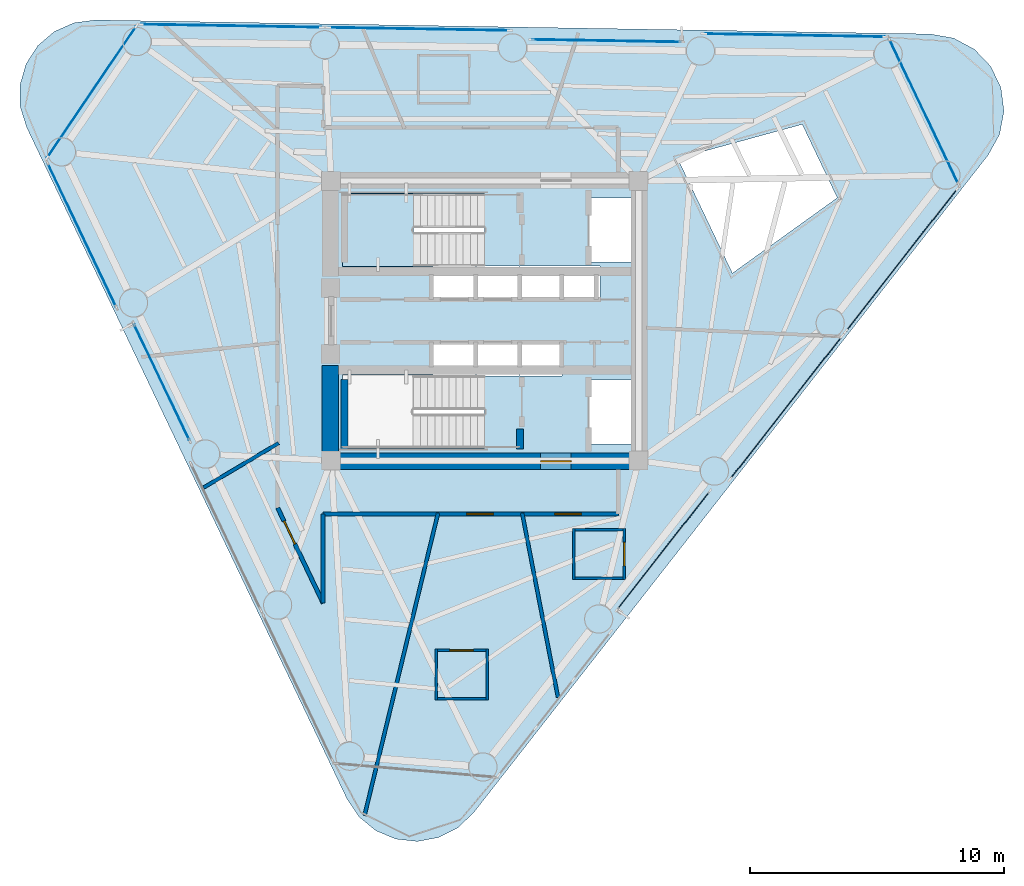
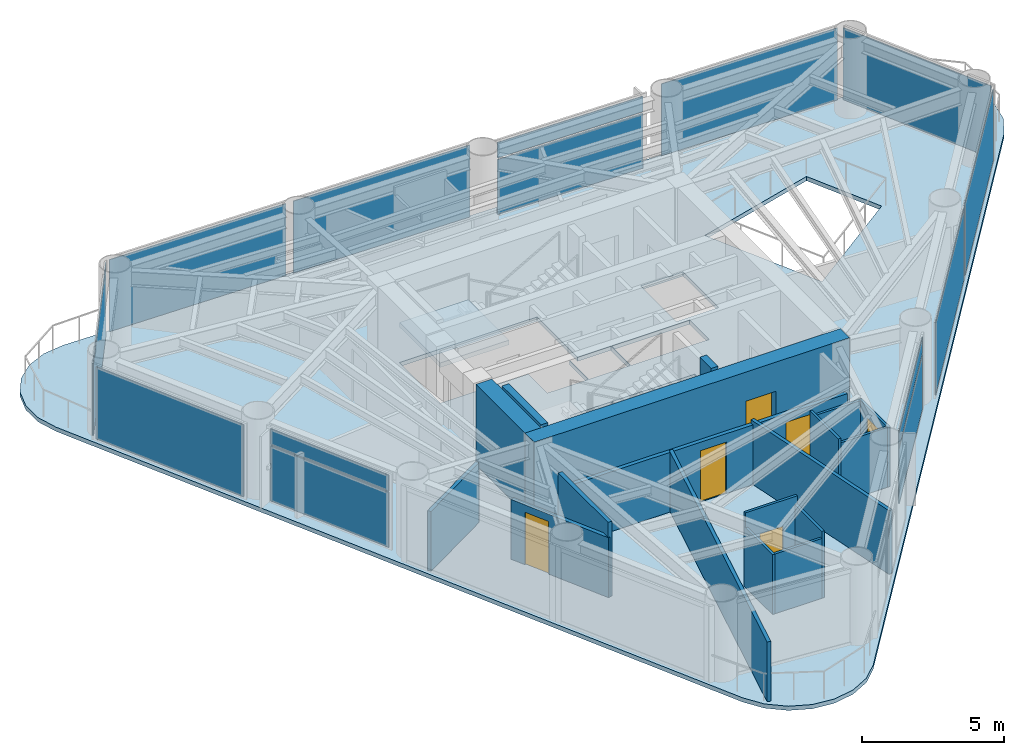
# One storey, part 5 of 10: 18 walls, 14 plates, 6 doors, 2 slabs, 6 openings, 12 elements without a shape of their own.
"""IFC4 building model written with IfcOpenShell, lengths in metres."""

from ifc_helpers import new_model, si_unit, direction, frame, frame_2d, origin, origin_2d, place, context, subcontext, project, spatial, polyline, rectangle, outline, extrude, source, transform, mapped, material, layer, layer_set, type_object, element, fill, aggregate, save


model = new_model("IFC4")

# Units and contexts
model_context = context("Model", 3, precision=1e-05, world=origin(), true_north=direction((0.0, 1.0)))
body_context = subcontext(model_context, "Body", "Model", "MODEL_VIEW")
ifc_project = project(units=[si_unit("LENGTHUNIT", "METRE"), si_unit("AREAUNIT", "SQUARE_METRE"), si_unit("VOLUMEUNIT", "CUBIC_METRE"), si_unit("PLANEANGLEUNIT", "RADIAN"), si_unit("MASSUNIT", "GRAM", prefix="KILO")], contexts=[model_context])

# Site, building, storey
site_placement = place(None, origin())
site = spatial("IfcSite", under=ifc_project, at=site_placement, CompositionType="ELEMENT")
building_placement = place(site_placement, origin())
building = spatial("IfcBuilding", under=site, at=building_placement, Name="Yunling Apex Tower", CompositionType="ELEMENT")
storey_placement = place(building_placement, frame((0.0, 0.0, 215.60009765625)))
storey = spatial("IfcBuildingStorey", under=building, at=storey_placement, Name="L53", CompositionType="ELEMENT", Elevation=215.60009765625)

# Slab
ifc_material_1 = material(Name="Concrete C40", Category="concrete")
ifc_layer_1 = layer(ifc_material_1, 0.1650390625)
ifc_layer_set_1 = layer_set([ifc_layer_1], Name="Concrete C40")
slab_type_1 = type_object("IfcSlabType", Name="SL-FLR-2", PredefinedType="FLOOR", material=ifc_layer_set_1)
slab_1_placement = place(storey_placement, frame((0.0, 0.0, -0.18017578125)))
element("IfcSlab", 1, at=slab_1_placement, inside=storey, type_object=slab_type_1, Name="L53 Composite Tower Floor Slab", PredefinedType="FLOOR", context=body_context, shape_type="SweptSolid", body=[
    extrude(outline(polyline([(-5.42578125, -18.80419921875), (-4.95068359375, -19.513427734375), (-4.29248046875, -20.056884765625), (-3.506103515625, -20.38916015625), (-2.65771484375, -20.482421875), (-1.818115234375, -20.32861328125), (-1.0576171875, -19.941162109375), (-0.439697265625, -19.35205078125), (19.8017578125, 6.518798828125), (20.25244140625, 7.333251953125), (20.427001953125, 8.24755859375), (20.307861328125, 9.1708984375), (19.9072265625, 10.010986328125), (19.2646484375, 10.684326171875), (18.4443359375, 11.1240234375), (17.527587890625, 11.286376953125), (-15.316162109375, 11.8369140625), (-16.16259765625, 11.7275390625), (-16.9423828125, 11.38037109375), (-17.59033203125, 10.824462890625), (-18.0517578125, 10.1064453125), (-18.288330078125, 9.286376953125), (-18.2802734375, 8.4326171875), (-18.0283203125, 7.6171875), (-5.42578125, -18.80419921875)]), holes=[polyline([(12.489013671875, 7.7294921875), (13.86669921875, 4.84130859375), (9.7412109375, 1.87646484375), (7.58837890625, 6.389404296875), (12.489013671875, 7.7294921875)]), polyline([(4.090087890625, -2.320068359375), (5.81005859375, -2.320068359375), (5.81005859375, -4.840087890625), (4.090087890625, -4.840087890625), (4.090087890625, -2.320068359375)]), polyline([(5.81005859375, 4.840087890625), (5.81005859375, 2.320068359375), (4.090087890625, 2.320068359375), (4.090087890625, 4.840087890625), (5.81005859375, 4.840087890625)]), polyline([(1.364990234375, 2.1650390625), (4.534912109375, 2.1650390625), (4.534912109375, 0.794921875), (1.364990234375, 0.794921875), (1.364990234375, 2.1650390625)]), polyline([(3.034912109375, -0.794921875), (3.034912109375, -2.1650390625), (1.364990234375, -2.1650390625), (1.364990234375, -0.794921875), (3.034912109375, -0.794921875)]), polyline([(-2.034912109375, -0.794921875), (-0.364990234375, -0.794921875), (-0.364990234375, -2.139892578125), (-0.3349609375, -2.139892578125), (-0.3349609375, -0.794921875), (1.3349609375, -0.794921875), (1.3349609375, -2.1650390625), (-0.010009765625, -2.1650390625), (-0.010009765625, -5.010009765625), (-5.60009765625, -5.010009765625), (-5.60009765625, -2.139892578125), (-2.034912109375, -2.139892578125), (-2.034912109375, -0.794921875)]), polyline([(-5.60009765625, 2.139892578125), (-5.60009765625, 5.010009765625), (-0.010009765625, 5.010009765625), (-0.010009765625, 2.1650390625), (1.3349609375, 2.1650390625), (1.3349609375, 0.794921875), (-0.3349609375, 0.794921875), (-0.3349609375, 2.139892578125), (-0.364990234375, 2.139892578125), (-0.364990234375, 0.794921875), (-2.034912109375, 0.794921875), (-2.034912109375, 2.139892578125), (-5.60009765625, 2.139892578125)])]), origin(), (0.0, 0.0, 1.0), 0.18017578125),
])

# Stair, slab
stair_type = type_object("IfcStairType", Name="ST-TWR-2", PredefinedType="HALF_TURN_STAIR", material=ifc_material_1)
stair_placement = place(storey_placement, origin())
stair = element("IfcStair", 2, at=stair_placement, inside=storey, type_object=stair_type, Name="L53 North Core Smokeproof Exit Stair ST-1", PredefinedType="HALF_TURN_STAIR")
ifc_layer_2 = layer(ifc_material_1, 0.195068359375)
ifc_layer_set_2 = layer_set([ifc_layer_2], Name="Concrete C40")
slab_type_2 = type_object("IfcSlabType", Name="SL-LND-1", PredefinedType="LANDING", material=ifc_layer_set_2)
slab_2_placement = place(storey_placement, frame((0.0, 0.0, 1.52978515625)))
slab_2 = element("IfcSlab", 3, at=slab_2_placement, type_object=slab_type_2, Name="ST-1 landing 1", PredefinedType="LANDING", context=body_context, shape_type="SweptSolid", body=[
    extrude(outline(polyline([(-2.81005859375, 5.010009765625), (-5.60009765625, 5.010009765625), (-5.60009765625, 2.139892578125), (-2.81005859375, 2.139892578125), (-2.81005859375, 5.010009765625)])), origin(), (0.0, 0.0, 1.0), 0.195068359375),
])
aggregate(stair, [slab_2])

# Curtain wall, plate
ifc_material_2 = material(Name="Bronze anodised aluminium", Category="aluminium")
ifc_layer_3 = layer(ifc_material_2, 0.239990234375)
ifc_layer_set_3 = layer_set([ifc_layer_3], Name="Bronze anodised aluminium")
curtain_wall_type = type_object("IfcCurtainWallType", Name="CW-SYS-3", PredefinedType="NOTDEFINED", material=ifc_layer_set_3)
curtain_wall_1_placement = place(storey_placement, origin())
curtain_wall_1 = element("IfcCurtainWall", 4, at=curtain_wall_1_placement, inside=storey, type_object=curtain_wall_type, Name="CW-L53-F1-B2", PredefinedType="NOTDEFINED")
ifc_material_3 = material(Name="Bronze tinted low-E glass", Category="glass")
ifc_layer_4 = layer(ifc_material_3, 0.031982421875)
ifc_layer_set_4 = layer_set([ifc_layer_4], Name="Bronze tinted low-E glass")
plate_type = type_object("IfcPlateType", Name="CW-PNL-3", PredefinedType="CURTAIN_PANEL", material=ifc_layer_set_4)
shared_shape_1 = source(origin(), body_context, "Body", "SweptSolid", [
    extrude(rectangle(XDim=5.846923828125, YDim=0.031982421875, at=origin_2d()), origin(), (0.0, 0.0, 1.0), 2.350830078125),
])
plate_1_placement = place(storey_placement, frame((7.025634765625, -9.03125, 0.07177734375), z_axis=(0.0, 0.0, 1.0), x_axis=(0.616216892053, 0.787576499109, 0.0)))
plate_1 = element("IfcPlate", 5, at=plate_1_placement, type_object=plate_type, Name="CW-SYS-3 panel 1.1", PredefinedType="CURTAIN_PANEL", context=body_context, shape_type="MappedRepresentation", body=[
    mapped(shared_shape_1, transform((0.0, 0.0, 0.0), scale=1.0)),
])

curtain_wall_2_placement = place(storey_placement, origin())
curtain_wall_2 = element("IfcCurtainWall", 6, at=curtain_wall_2_placement, inside=storey, type_object=curtain_wall_type, Name="CW-L53-F2-B2", PredefinedType="NOTDEFINED")
plate_2_placement = place(storey_placement, frame((4.792724609375, 11.019775390625, 0.07177734375), z_axis=(0.0, 0.0, 1.0), x_axis=(-0.999859564213, 0.016758635119, 0.0)))
plate_2 = element("IfcPlate", 7, at=plate_2_placement, type_object=plate_type, Name="CW-SYS-3 panel 1.1", PredefinedType="CURTAIN_PANEL", context=body_context, shape_type="MappedRepresentation", body=[
    mapped(shared_shape_1, transform((0.0, 0.0, 0.0), scale=1.0)),
])

# Plate
shared_shape_2 = source(origin(), body_context, "Body", "SweptSolid", [
    extrude(rectangle(XDim=5.846923828125, YDim=0.031982421875, at=origin_2d()), origin(), (0.0, 0.0, 1.0), 0.671142578125),
])
plate_3_placement = place(storey_placement, frame((7.025634765625, -9.03125, 2.48681640625), z_axis=(0.0, 0.0, 1.0), x_axis=(0.616216892053, 0.787576499109, 0.0)))
plate_3 = element("IfcPlate", 8, at=plate_3_placement, type_object=plate_type, Name="CW-SYS-3 panel 1.2", PredefinedType="CURTAIN_PANEL", context=body_context, shape_type="MappedRepresentation", body=[
    mapped(shared_shape_2, transform((0.0, 0.0, 0.0), scale=1.0)),
])

aggregate(curtain_wall_1, [plate_1, plate_3])

plate_4_placement = place(storey_placement, frame((4.792724609375, 11.019775390625, 2.48681640625), z_axis=(0.0, 0.0, 1.0), x_axis=(-0.999859564213, 0.016758635119, 0.0)))
plate_4 = element("IfcPlate", 9, at=plate_4_placement, type_object=plate_type, Name="CW-SYS-3 panel 1.2", PredefinedType="CURTAIN_PANEL", context=body_context, shape_type="MappedRepresentation", body=[
    mapped(shared_shape_2, transform((0.0, 0.0, 0.0), scale=1.0)),
])

aggregate(curtain_wall_2, [plate_2, plate_4])

# Curtain wall, plate
curtain_wall_3_placement = place(storey_placement, origin())
curtain_wall_3 = element("IfcCurtainWall", 10, at=curtain_wall_3_placement, inside=storey, type_object=curtain_wall_type, Name="CW-L53-F1-B3", PredefinedType="NOTDEFINED")
shared_shape_3 = source(origin(), body_context, "Body", "SweptSolid", [
    extrude(rectangle(XDim=7.0869140625, YDim=0.031982421875, at=origin_2d()), origin(), (0.0, 0.0, 1.0), 3.0859375),
])
plate_5_placement = place(storey_placement, frame((11.847900390625, -3.419921875, 0.072021484375), z_axis=(0.0, 0.0, 1.0), x_axis=(0.616200489644, 0.787589332433, 0.0)))
plate_5 = element("IfcPlate", 11, at=plate_5_placement, type_object=plate_type, Name="CW-SYS-3 panel 1.1", PredefinedType="CURTAIN_PANEL", context=body_context, shape_type="MappedRepresentation", body=[
    mapped(shared_shape_3, transform((0.0, 0.0, 0.0), scale=1.0)),
])
aggregate(curtain_wall_3, [plate_5])

curtain_wall_4_placement = place(storey_placement, origin())
curtain_wall_4 = element("IfcCurtainWall", 12, at=curtain_wall_4_placement, inside=storey, type_object=curtain_wall_type, Name="CW-L53-F1-B4", PredefinedType="NOTDEFINED")
plate_6_placement = place(storey_placement, frame((16.402099609375, 2.401123046875, 0.072021484375), z_axis=(0.0, 0.0, 1.0), x_axis=(0.616200489644, 0.787589332433, 0.0)))
plate_6 = element("IfcPlate", 13, at=plate_6_placement, type_object=plate_type, Name="CW-SYS-3 panel 1.1", PredefinedType="CURTAIN_PANEL", context=body_context, shape_type="MappedRepresentation", body=[
    mapped(shared_shape_3, transform((0.0, 0.0, 0.0), scale=1.0)),
])
aggregate(curtain_wall_4, [plate_6])

curtain_wall_5_placement = place(storey_placement, origin())
curtain_wall_5 = element("IfcCurtainWall", 14, at=curtain_wall_5_placement, inside=storey, type_object=curtain_wall_type, Name="CW-L53-F2-B1", PredefinedType="NOTDEFINED")
plate_7_placement = place(storey_placement, frame((12.188232421875, 11.23583984375, 0.072021484375), z_axis=(0.0, 0.0, 1.0), x_axis=(-0.999859518498, 0.016761362354, 0.0)))
plate_7 = element("IfcPlate", 15, at=plate_7_placement, type_object=plate_type, Name="CW-SYS-3 panel 1.1", PredefinedType="CURTAIN_PANEL", context=body_context, shape_type="MappedRepresentation", body=[
    mapped(shared_shape_3, transform((0.0, 0.0, 0.0), scale=1.0)),
])
aggregate(curtain_wall_5, [plate_7])

curtain_wall_6_placement = place(storey_placement, origin())
curtain_wall_6 = element("IfcCurtainWall", 16, at=curtain_wall_6_placement, inside=storey, type_object=curtain_wall_type, Name="CW-L53-F2-B3", PredefinedType="NOTDEFINED")
plate_8_placement = place(storey_placement, frame((-2.591552734375, 11.483642578125, 0.072021484375), z_axis=(0.0, 0.0, 1.0), x_axis=(-0.999859754051, 0.016747305141, 0.0)))
plate_8 = element("IfcPlate", 17, at=plate_8_placement, type_object=plate_type, Name="CW-SYS-3 panel 1.1", PredefinedType="CURTAIN_PANEL", context=body_context, shape_type="MappedRepresentation", body=[
    mapped(shared_shape_3, transform((0.0, 0.0, 0.0), scale=1.0)),
])
aggregate(curtain_wall_6, [plate_8])

curtain_wall_7_placement = place(storey_placement, origin())
curtain_wall_7 = element("IfcCurtainWall", 18, at=curtain_wall_7_placement, inside=storey, type_object=curtain_wall_type, Name="CW-L53-F2-B4", PredefinedType="NOTDEFINED")
plate_9_placement = place(storey_placement, frame((-9.9814453125, 11.607421875, 0.072021484375), z_axis=(0.0, 0.0, 1.0), x_axis=(-0.999859518498, 0.016761362354, 0.0)))
plate_9 = element("IfcPlate", 19, at=plate_9_placement, type_object=plate_type, Name="CW-SYS-3 panel 1.1", PredefinedType="CURTAIN_PANEL", context=body_context, shape_type="MappedRepresentation", body=[
    mapped(shared_shape_3, transform((0.0, 0.0, 0.0), scale=1.0)),
])
aggregate(curtain_wall_7, [plate_9])

curtain_wall_8_placement = place(storey_placement, origin())
curtain_wall_8 = element("IfcCurtainWall", 20, at=curtain_wall_8_placement, inside=storey, type_object=curtain_wall_type, Name="CW-L53-CRN1", PredefinedType="NOTDEFINED")
shared_shape_4 = source(origin(), body_context, "Body", "SweptSolid", [
    extrude(rectangle(XDim=6.31494140625, YDim=0.031982421875, at=origin_2d()), origin(), (0.0, 0.0, 1.0), 3.0859375),
])
plate_10_placement = place(storey_placement, frame((17.273193359375, 8.239013671875, 0.072021484375), z_axis=(0.0, 0.0, 1.0), x_axis=(-0.430527245951, 0.902577581426, 0.0)))
plate_10 = element("IfcPlate", 21, at=plate_10_placement, type_object=plate_type, Name="CW-SYS-3 panel 1.1", PredefinedType="CURTAIN_PANEL", context=body_context, shape_type="MappedRepresentation", body=[
    mapped(shared_shape_4, transform((0.0, 0.0, 0.0), scale=1.0)),
])
aggregate(curtain_wall_8, [plate_10])

curtain_wall_9_placement = place(storey_placement, origin())
curtain_wall_9 = element("IfcCurtainWall", 22, at=curtain_wall_9_placement, inside=storey, type_object=curtain_wall_type, Name="CW-L53-CRN2", PredefinedType="NOTDEFINED")
shared_shape_5 = source(origin(), body_context, "Body", "SweptSolid", [
    extrude(rectangle(XDim=6.237060546875, YDim=0.031982421875, at=origin_2d()), origin(), (0.0, 0.0, 1.0), 3.0859375),
])
plate_11_placement = place(storey_placement, frame((-15.465087890625, 9.007080078125, 0.072021484375), z_axis=(0.0, 0.0, 1.0), x_axis=(-0.56057021458, -0.828106898006, 0.0)))
plate_11 = element("IfcPlate", 23, at=plate_11_placement, type_object=plate_type, Name="CW-SYS-3 panel 1.1", PredefinedType="CURTAIN_PANEL", context=body_context, shape_type="MappedRepresentation", body=[
    mapped(shared_shape_5, transform((0.0, 0.0, 0.0), scale=1.0)),
])
aggregate(curtain_wall_9, [plate_11])

curtain_wall_10_placement = place(storey_placement, origin())
curtain_wall_10 = element("IfcCurtainWall", 24, at=curtain_wall_10_placement, inside=storey, type_object=curtain_wall_type, Name="CW-L53-F3-B1", PredefinedType="NOTDEFINED")
shared_shape_6 = source(origin(), body_context, "Body", "SweptSolid", [
    extrude(rectangle(XDim=6.282470703125, YDim=0.031982421875, at=origin_2d()), origin(), (0.0, 0.0, 1.0), 3.0859375),
])
plate_12_placement = place(storey_placement, frame((-15.85400390625, 3.384033203125, 0.072021484375), z_axis=(0.0, 0.0, 1.0), x_axis=(0.430517577128, -0.902582193367, 0.0)))
plate_12 = element("IfcPlate", 25, at=plate_12_placement, type_object=plate_type, Name="CW-SYS-3 panel 1.1", PredefinedType="CURTAIN_PANEL", context=body_context, shape_type="MappedRepresentation", body=[
    mapped(shared_shape_6, transform((0.0, 0.0, 0.0), scale=1.0)),
])
aggregate(curtain_wall_10, [plate_12])

# Curtain wall, plates
curtain_wall_11_placement = place(storey_placement, origin())
curtain_wall_11 = element("IfcCurtainWall", 26, at=curtain_wall_11_placement, inside=storey, type_object=curtain_wall_type, Name="CW-L53-F3-B2", PredefinedType="NOTDEFINED")
shared_shape_7 = source(origin(), body_context, "Body", "SweptSolid", [
    extrude(rectangle(XDim=5.042236328125, YDim=0.031982421875, at=origin_2d()), origin(), (0.0, 0.0, 1.0), 2.350830078125),
])
plate_13_placement = place(storey_placement, frame((-12.71142578125, -2.41455078125, 0.07177734375), z_axis=(0.0, 0.0, 1.0), x_axis=(0.430515783062, -0.902583049107, 0.0)))
plate_13 = element("IfcPlate", 27, at=plate_13_placement, type_object=plate_type, Name="CW-SYS-3 panel 1.1", PredefinedType="CURTAIN_PANEL", context=body_context, shape_type="MappedRepresentation", body=[
    mapped(shared_shape_7, transform((0.0, 0.0, 0.0), scale=1.0)),
])
shared_shape_8 = source(origin(), body_context, "Body", "SweptSolid", [
    extrude(rectangle(XDim=5.042236328125, YDim=0.031982421875, at=origin_2d()), origin(), (0.0, 0.0, 1.0), 0.671142578125),
])
plate_14_placement = place(storey_placement, frame((-12.71142578125, -2.41455078125, 2.48681640625), z_axis=(0.0, 0.0, 1.0), x_axis=(0.430515783062, -0.902583049107, 0.0)))
plate_14 = element("IfcPlate", 28, at=plate_14_placement, type_object=plate_type, Name="CW-SYS-3 panel 1.2", PredefinedType="CURTAIN_PANEL", context=body_context, shape_type="MappedRepresentation", body=[
    mapped(shared_shape_8, transform((0.0, 0.0, 0.0), scale=1.0)),
])
aggregate(curtain_wall_11, [plate_13, plate_14])

# Wall, opening, door
ifc_material_4 = material(Name="Concrete C50", Category="concrete")
ifc_layer_5 = layer(ifc_material_4, 0.64990234375)
ifc_layer_set_5 = layer_set([ifc_layer_5], Name="Concrete C50")
wall_type_1 = type_object("IfcWallType", Name="WL-COR-2", PredefinedType="SHEAR", material=ifc_layer_set_5)
wall_1_placement = place(storey_placement, frame((-6.39990234375, -5.52490234375, 0.0), z_axis=(0.0, 0.0, 1.0), x_axis=(1.0, 0.0, 0.0)))
wall_1 = element("IfcWall", 29, at=wall_1_placement, inside=storey, type_object=wall_type_1, Name="L53 South Core Shear Wall", PredefinedType="SHEAR", context=body_context, shape_type="SweptSolid", body=[
    extrude(rectangle(XDim=12.7998046875, YDim=0.64990234375, at=frame_2d((6.39990234375, 0.0))), origin(), (0.0, 0.0, 1.0), 3.449951171875),
])
opening_1_placement = place(wall_1_placement, frame((8.60009765625, 0.0, 0.0)))
opening_1 = element("IfcOpeningElement", 30, at=opening_1_placement, cuts=wall_1, Name="Opening DR-FFL-1", PredefinedType="OPENING", context=body_context, shape_type="SweptSolid", body=[
    extrude(rectangle(XDim=1.199951171875, YDim=2.199951171875, at=frame_2d((0.60009765625, 1.10009765625))), frame((0.0, 0.3349609375, 0.0), z_axis=(0.0, -1.0, 0.0), x_axis=(1.0, 0.0, 0.0)), (0.0, 0.0, 1.0), 0.669921875),
])
ifc_material_5 = material(Name="Steel Q355B", Category="steel")
door_type_1 = type_object("IfcDoorType", Name="DR-FFL-1", OperationType="NOTDEFINED", PredefinedType="DOOR", material=ifc_material_5)
door_1_placement = place(opening_1_placement, origin())
door_1 = element("IfcDoor", 31, at=door_1_placement, inside=storey, type_object=door_type_1, Name="L53 South Firefighting Lobby Door", OperationType="SINGLE_SWING_RIGHT", OverallHeight=2.199951171875, OverallWidth=1.199951171875, PredefinedType="DOOR", context=body_context, shape_type="SweptSolid", body=[
    extrude(rectangle(XDim=1.199951171875, YDim=2.199951171875, at=frame_2d((0.60009765625, 1.10009765625))), frame((0.0, 0.02490234375, 0.0), z_axis=(0.0, -1.0, 0.0), x_axis=(1.0, 0.0, 0.0)), (0.0, 0.0, 1.0), 0.050048828125),
])
fill(opening_1, door_1)

# Walls
wall_2_placement = place(storey_placement, frame((-6.074951171875, -5.199951171875, 0.0), z_axis=(0.0, 0.0, 1.0), x_axis=(0.0, 1.0, 0.0)))
element("IfcWall", 32, at=wall_2_placement, inside=storey, type_object=wall_type_1, Name="L53 West-South Core Shear Wall", PredefinedType="SHEAR", context=body_context, shape_type="SweptSolid", body=[
    extrude(rectangle(XDim=3.449951171875, YDim=0.64990234375, at=frame_2d((1.72509765625, 0.0))), origin(), (0.0, 0.0, 1.0), 3.449951171875),
])
ifc_layer_6 = layer(ifc_material_1, 0.280029296875)
ifc_layer_set_6 = layer_set([ifc_layer_6], Name="Concrete C40")
wall_type_2 = type_object("IfcWallType", Name="WL-COR-8", PredefinedType="SHEAR", material=ifc_layer_set_6)
wall_3_placement = place(storey_placement, frame((-5.52001953125, -5.050048828125, 0.0), z_axis=(0.0, 0.0, 1.0), x_axis=(0.0, 1.0, 0.0)))
element("IfcWall", 33, at=wall_3_placement, inside=storey, type_object=wall_type_2, Name="L53 ST-2 West Landing Bearing Wall", PredefinedType="SHEAR", context=body_context, shape_type="SweptSolid", body=[
    extrude(rectangle(XDim=2.75, YDim=0.280029296875, at=frame_2d((1.375, 0.0))), origin(), (0.0, 0.0, 1.0), 3.449951171875),
])
wall_4_placement = place(storey_placement, frame((1.3798828125, -5.050048828125, 0.0), z_axis=(0.0, 0.0, 1.0), x_axis=(0.0, 1.0, 0.0)))
element("IfcWall", 34, at=wall_4_placement, inside=storey, type_object=wall_type_2, Name="L53 ST-2 East Landing Bearing Pier", PredefinedType="SHEAR", context=body_context, shape_type="SweptSolid", body=[
    extrude(rectangle(XDim=0.800048828125, YDim=0.280029296875, at=frame_2d((0.39990234375, 0.0))), origin(), (0.0, 0.0, 1.0), 3.449951171875),
])

# Wall, opening, door
ifc_material_6 = material(Name="Gypsum board acoustic partition")
ifc_layer_7 = layer(ifc_material_6, 0.159912109375)
ifc_layer_set_7 = layer_set([ifc_layer_7], Name="Gypsum board acoustic partition")
wall_type_3 = type_object("IfcWallType", Name="WL-PRT-1", PredefinedType="PARTITIONING", material=ifc_layer_set_7)
wall_5_placement = place(storey_placement, frame((-6.360107421875, -11.1083984375, 0.0), z_axis=(0.0, 0.0, 1.0), x_axis=(-0.430460013629, 0.902609648002, 0.0)))
wall_5 = element("IfcWall", 35, at=wall_5_placement, inside=storey, type_object=wall_type_3, Name="WL-CORR-L53-01", PredefinedType="PARTITIONING", context=body_context, shape_type="SweptSolid", body=[
    extrude(rectangle(XDim=4.157958984375, YDim=0.159912109375, at=frame_2d((2.0791015625, 0.0))), origin(), (0.0, 0.0, 1.0), 2.56494140625),
])
opening_2_placement = place(wall_5_placement, frame((2.576904296875, 0.0, 0.0)))
opening_2 = element("IfcOpeningElement", 36, at=opening_2_placement, cuts=wall_5, Name="Opening DR-OFF-1", PredefinedType="OPENING", context=body_context, shape_type="SweptSolid", body=[
    extrude(rectangle(XDim=1.0, YDim=2.25, at=frame_2d((0.5, 1.125))), frame((0.0, 0.08984375, 0.0), z_axis=(0.0, -1.0, 0.0), x_axis=(1.0, 0.0, 0.0)), (0.0, 0.0, 1.0), 0.179931640625),
])
door_type_2 = type_object("IfcDoorType", Name="DR-OFF-1", OperationType="NOTDEFINED", PredefinedType="DOOR", material=ifc_material_2)
door_2_placement = place(opening_2_placement, origin())
door_2 = element("IfcDoor", 37, at=door_2_placement, inside=storey, type_object=door_type_2, Name="L53 Staff Duty Office Door", OperationType="SINGLE_SWING_RIGHT", OverallHeight=2.25, OverallWidth=1.0, PredefinedType="DOOR", context=body_context, shape_type="SweptSolid", body=[
    extrude(rectangle(XDim=1.0, YDim=2.25, at=frame_2d((0.5, 1.125))), frame((0.0, 0.02490234375, 0.0), z_axis=(0.0, -1.0, 0.0), x_axis=(1.0, 0.0, 0.0)), (0.0, 0.0, 1.0), 0.050048828125),
])
fill(opening_2, door_2)

# Wall, openings, doors
wall_6_placement = place(storey_placement, frame((5.25, -7.60009765625, 0.0), z_axis=(0.0, 0.0, 1.0), x_axis=(-1.0, 0.0, 0.0)))
wall_6 = element("IfcWall", 38, at=wall_6_placement, inside=storey, type_object=wall_type_3, Name="WL-CORR-L53-09", PredefinedType="PARTITIONING", context=body_context, shape_type="SweptSolid", body=[
    extrude(rectangle(XDim=11.610107421875, YDim=0.159912109375, at=frame_2d((5.80517578125, 0.0))), origin(), (0.0, 0.0, 1.0), 2.56494140625),
])
opening_3_placement = place(wall_6_placement, frame((1.447021484375, 0.0, 0.0)))
opening_3 = element("IfcOpeningElement", 39, at=opening_3_placement, cuts=wall_6, Name="Opening DR-FL-1", PredefinedType="OPENING", context=body_context, shape_type="SweptSolid", body=[
    extrude(rectangle(XDim=1.050048828125, YDim=2.199951171875, at=frame_2d((0.52490234375, 1.10009765625))), frame((0.0, 0.08984375, 0.0), z_axis=(0.0, -1.0, 0.0), x_axis=(1.0, 0.0, 0.0)), (0.0, 0.0, 1.0), 0.179931640625),
])
opening_4_placement = place(wall_6_placement, frame((4.91162109375, 0.0, 0.0)))
opening_4 = element("IfcOpeningElement", 40, at=opening_4_placement, cuts=wall_6, Name="Opening DR-FL-1", PredefinedType="OPENING", context=body_context, shape_type="SweptSolid", body=[
    extrude(rectangle(XDim=1.050048828125, YDim=2.199951171875, at=frame_2d((0.52490234375, 1.10009765625))), frame((0.0, 0.08984375, 0.0), z_axis=(0.0, -1.0, 0.0), x_axis=(1.0, 0.0, 0.0)), (0.0, 0.0, 1.0), 0.179931640625),
])
ifc_material_7 = material(Name="Timber fire-rated leaf", Category="wood")
door_type_3 = type_object("IfcDoorType", Name="DR-FL-1", OperationType="NOTDEFINED", PredefinedType="DOOR", material=ifc_material_7)
door_3_placement = place(opening_3_placement, origin())
door_3 = element("IfcDoor", 41, at=door_3_placement, inside=storey, type_object=door_type_3, Name="L53 Hotel Suite Door", OperationType="SINGLE_SWING_RIGHT", OverallHeight=2.199951171875, OverallWidth=1.050048828125, PredefinedType="DOOR", context=body_context, shape_type="SweptSolid", body=[
    extrude(rectangle(XDim=1.050048828125, YDim=2.199951171875, at=frame_2d((0.52490234375, 1.10009765625))), frame((0.0, 0.02490234375, 0.0), z_axis=(0.0, -1.0, 0.0), x_axis=(1.0, 0.0, 0.0)), (0.0, 0.0, 1.0), 0.050048828125),
])
fill(opening_3, door_3)
door_4_placement = place(opening_4_placement, origin())
door_4 = element("IfcDoor", 42, at=door_4_placement, inside=storey, type_object=door_type_3, Name="L53 Hotel Suite Door", OperationType="SINGLE_SWING_LEFT", OverallHeight=2.199951171875, OverallWidth=1.050048828125, PredefinedType="DOOR", context=body_context, shape_type="SweptSolid", body=[
    extrude(rectangle(XDim=1.050048828125, YDim=2.199951171875, at=frame_2d((0.52490234375, 1.10009765625))), frame((0.0, 0.02490234375, 0.0), z_axis=(0.0, -1.0, 0.0), x_axis=(1.0, 0.0, 0.0)), (0.0, 0.0, 1.0), 0.050048828125),
])
fill(opening_4, door_4)

# Walls
wall_7_placement = place(storey_placement, frame((-6.360107421875, -7.60009765625, 0.0), z_axis=(0.0, 0.0, 1.0), x_axis=(0.0, -1.0, 0.0)))
element("IfcWall", 43, at=wall_7_placement, inside=storey, type_object=wall_type_3, Name="WL-CORR-L53-10", PredefinedType="PARTITIONING", context=body_context, shape_type="SweptSolid", body=[
    extrude(rectangle(XDim=3.50830078125, YDim=0.159912109375, at=frame_2d((1.754150390625, 0.0))), origin(), (0.0, 0.0, 1.0), 3.2099609375),
])
ifc_layer_8 = layer(ifc_material_6, 0.139892578125)
ifc_layer_set_8 = layer_set([ifc_layer_8], Name="Gypsum board acoustic partition")
wall_type_4 = type_object("IfcWallType", Name="WL-PRT-2", PredefinedType="PARTITIONING", material=ifc_layer_set_8)
wall_8_placement = place(storey_placement, frame((-8.110107421875, -4.80908203125, 0.0), z_axis=(0.0, 0.0, 1.0), x_axis=(-0.860151862046, -0.510038012524, 0.0)))
element("IfcWall", 44, at=wall_8_placement, inside=storey, type_object=wall_type_4, Name="WL-RAD-L53-06", PredefinedType="PARTITIONING", context=body_context, shape_type="SweptSolid", body=[
    extrude(rectangle(XDim=3.436279296875, YDim=0.139892578125, at=frame_2d((1.71826171875, 0.0))), origin(), (0.0, 0.0, 1.0), 2.56494140625),
])
wall_9_placement = place(storey_placement, frame((-1.83837890625, -7.56005859375, 0.0), z_axis=(0.0, 0.0, 1.0), x_axis=(-0.236259509823, -0.971689993783, 0.0)))
element("IfcWall", 45, at=wall_9_placement, inside=storey, type_object=wall_type_4, Name="WL-RAD-L53-07", PredefinedType="PARTITIONING", context=body_context, shape_type="SweptSolid", body=[
    extrude(rectangle(XDim=12.247314453125, YDim=0.139892578125, at=frame_2d((6.12353515625, 0.0))), origin(), (0.0, 0.0, 1.0), 2.56494140625),
])
wall_10_placement = place(storey_placement, frame((1.469482421875, -7.56005859375, 0.0), z_axis=(0.0, 0.0, 1.0), x_axis=(0.190822808967, -0.981624498257, 0.0)))
element("IfcWall", 46, at=wall_10_placement, inside=storey, type_object=wall_type_4, Name="WL-RAD-L53-08", PredefinedType="PARTITIONING", context=body_context, shape_type="SweptSolid", body=[
    extrude(rectangle(XDim=7.392333984375, YDim=0.139892578125, at=frame_2d((3.6962890625, 0.0))), origin(), (0.0, 0.0, 1.0), 2.724853515625),
])

# Wall, opening, door
ifc_layer_9 = layer(ifc_material_6, 0.10009765625)
ifc_layer_set_9 = layer_set([ifc_layer_9], Name="Gypsum board acoustic partition")
wall_type_5 = type_object("IfcWallType", Name="WL-PRT-4", PredefinedType="PARTITIONING", material=ifc_layer_set_9)
wall_11_placement = place(storey_placement, frame((-1.9619140625, -12.967041015625, 0.0), z_axis=(0.0, 0.0, 1.0), x_axis=(1.0, 0.0, 0.0)))
wall_11 = element("IfcWall", 47, at=wall_11_placement, inside=storey, type_object=wall_type_5, Name="WL-ENS-L53-3N", PredefinedType="PARTITIONING", context=body_context, shape_type="SweptSolid", body=[
    extrude(rectangle(XDim=2.099853515625, YDim=0.10009765625, at=frame_2d((1.0498046875, 0.0))), origin(), (0.0, 0.0, 1.0), 3.2099609375),
])
opening_5_placement = place(wall_11_placement, frame((0.590087890625, 0.0, 0.0)))
opening_5 = element("IfcOpeningElement", 48, at=opening_5_placement, cuts=wall_11, Name="Opening DR-WC-1", PredefinedType="OPENING", context=body_context, shape_type="SweptSolid", body=[
    extrude(rectangle(XDim=0.919921875, YDim=2.10009765625, at=frame_2d((0.4599609375, 1.050048828125))), frame((0.0, 0.06005859375, 0.0), z_axis=(0.0, -1.0, 0.0), x_axis=(1.0, 0.0, 0.0)), (0.0, 0.0, 1.0), 0.1201171875),
])
ifc_material_8 = material(Name="Timber moisture-resistant leaf", Category="wood")
door_type_4 = type_object("IfcDoorType", Name="DR-WC-1", OperationType="NOTDEFINED", PredefinedType="DOOR", material=ifc_material_8)
door_5_placement = place(opening_5_placement, origin())
door_5 = element("IfcDoor", 49, at=door_5_placement, inside=storey, type_object=door_type_4, Name="L53 En-Suite Door", OperationType="SINGLE_SWING_LEFT", OverallHeight=2.10009765625, OverallWidth=0.919921875, PredefinedType="DOOR", context=body_context, shape_type="SweptSolid", body=[
    extrude(rectangle(XDim=0.919921875, YDim=2.10009765625, at=frame_2d((0.4599609375, 1.050048828125))), frame((0.0, 0.02490234375, 0.0), z_axis=(0.0, -1.0, 0.0), x_axis=(1.0, 0.0, 0.0)), (0.0, 0.0, 1.0), 0.050048828125),
])
fill(opening_5, door_5)

# Walls
wall_12_placement = place(storey_placement, frame((0.137939453125, -14.866943359375, 0.0), z_axis=(0.0, 0.0, 1.0), x_axis=(-1.0, 0.0, 0.0)))
element("IfcWall", 50, at=wall_12_placement, inside=storey, type_object=wall_type_5, Name="WL-ENS-L53-3S", PredefinedType="PARTITIONING", context=body_context, shape_type="SweptSolid", body=[
    extrude(rectangle(XDim=2.099853515625, YDim=0.10009765625, at=frame_2d((1.0498046875, 0.0))), origin(), (0.0, 0.0, 1.0), 2.56494140625),
])
wall_13_placement = place(storey_placement, frame((0.087890625, -12.9169921875, 0.0), z_axis=(0.0, 0.0, 1.0), x_axis=(0.0, -1.0, 0.0)))
element("IfcWall", 51, at=wall_13_placement, inside=storey, type_object=wall_type_5, Name="WL-ENS-L53-3E", PredefinedType="PARTITIONING", context=body_context, shape_type="SweptSolid", body=[
    extrude(rectangle(XDim=2.0, YDim=0.10009765625, at=frame_2d((1.0, 0.0))), origin(), (0.0, 0.0, 1.0), 2.864990234375),
])
wall_14_placement = place(storey_placement, frame((-1.912109375, -14.9169921875, 0.0), z_axis=(0.0, 0.0, 1.0), x_axis=(0.0, 1.0, 0.0)))
element("IfcWall", 52, at=wall_14_placement, inside=storey, type_object=wall_type_5, Name="WL-ENS-L53-3W", PredefinedType="PARTITIONING", context=body_context, shape_type="SweptSolid", body=[
    extrude(rectangle(XDim=2.0, YDim=0.10009765625, at=frame_2d((1.0, 0.0))), origin(), (0.0, 0.0, 1.0), 2.56494140625),
])
for number, where, z_axis, x_axis, name in (
    (53, (3.43994140625, -8.22802734375, 0.0), (0.0, 0.0, 1.0), (1.0, 0.0, 0.0), "WL-ENS-L53-4N"),
    (54, (5.5400390625, -10.1279296875, 0.0), (0.0, 0.0, 1.0), (-1.0, 0.0, 0.0), "WL-ENS-L53-4S"),
):
    element("IfcWall", number, at=place(storey_placement, frame(where, z_axis=z_axis, x_axis=x_axis)), inside=storey, type_object=wall_type_5, Name=name, PredefinedType="PARTITIONING", context=body_context, shape_type="SweptSolid", body=[
        extrude(rectangle(XDim=2.10009765625, YDim=0.10009765625, at=frame_2d((1.050048828125, 0.0))), origin(), (0.0, 0.0, 1.0), 2.56494140625),
    ])

# Wall, opening, door
wall_15_placement = place(storey_placement, frame((5.489990234375, -8.177978515625, 0.0), z_axis=(0.0, 0.0, 1.0), x_axis=(0.0, -1.0, 0.0)))
wall_15 = element("IfcWall", 55, at=wall_15_placement, inside=storey, type_object=wall_type_5, Name="WL-ENS-L53-4E", PredefinedType="PARTITIONING", context=body_context, shape_type="SweptSolid", body=[
    extrude(rectangle(XDim=2.0, YDim=0.10009765625, at=frame_2d((1.0, 0.0))), origin(), (0.0, 0.0, 1.0), 2.56494140625),
])
opening_6_placement = place(wall_15_placement, frame((0.5400390625, 0.0, 0.0)))
opening_6 = element("IfcOpeningElement", 56, at=opening_6_placement, cuts=wall_15, Name="Opening DR-WC-1", PredefinedType="OPENING", context=body_context, shape_type="SweptSolid", body=[
    extrude(rectangle(XDim=0.919921875, YDim=2.10009765625, at=frame_2d((0.4599609375, 1.050048828125))), frame((0.0, 0.06005859375, 0.0), z_axis=(0.0, -1.0, 0.0), x_axis=(1.0, 0.0, 0.0)), (0.0, 0.0, 1.0), 0.1201171875),
])
door_6_placement = place(opening_6_placement, origin())
door_6 = element("IfcDoor", 57, at=door_6_placement, inside=storey, type_object=door_type_4, Name="L53 En-Suite Door", OperationType="SINGLE_SWING_RIGHT", OverallHeight=2.10009765625, OverallWidth=0.919921875, PredefinedType="DOOR", context=body_context, shape_type="SweptSolid", body=[
    extrude(rectangle(XDim=0.919921875, YDim=2.10009765625, at=frame_2d((0.4599609375, 1.050048828125))), frame((0.0, 0.02490234375, 0.0), z_axis=(0.0, -1.0, 0.0), x_axis=(1.0, 0.0, 0.0)), (0.0, 0.0, 1.0), 0.050048828125),
])
fill(opening_6, door_6)

# Wall
wall_16_placement = place(storey_placement, frame((3.489990234375, -10.177978515625, 0.0), z_axis=(0.0, 0.0, 1.0), x_axis=(0.0, 1.0, 0.0)))
element("IfcWall", 58, at=wall_16_placement, inside=storey, type_object=wall_type_5, Name="WL-ENS-L53-4W", PredefinedType="PARTITIONING", context=body_context, shape_type="SweptSolid", body=[
    extrude(rectangle(XDim=2.0, YDim=0.10009765625, at=frame_2d((1.0, 0.0))), origin(), (0.0, 0.0, 1.0), 2.764892578125),
])

save(model, "model.ifc")
